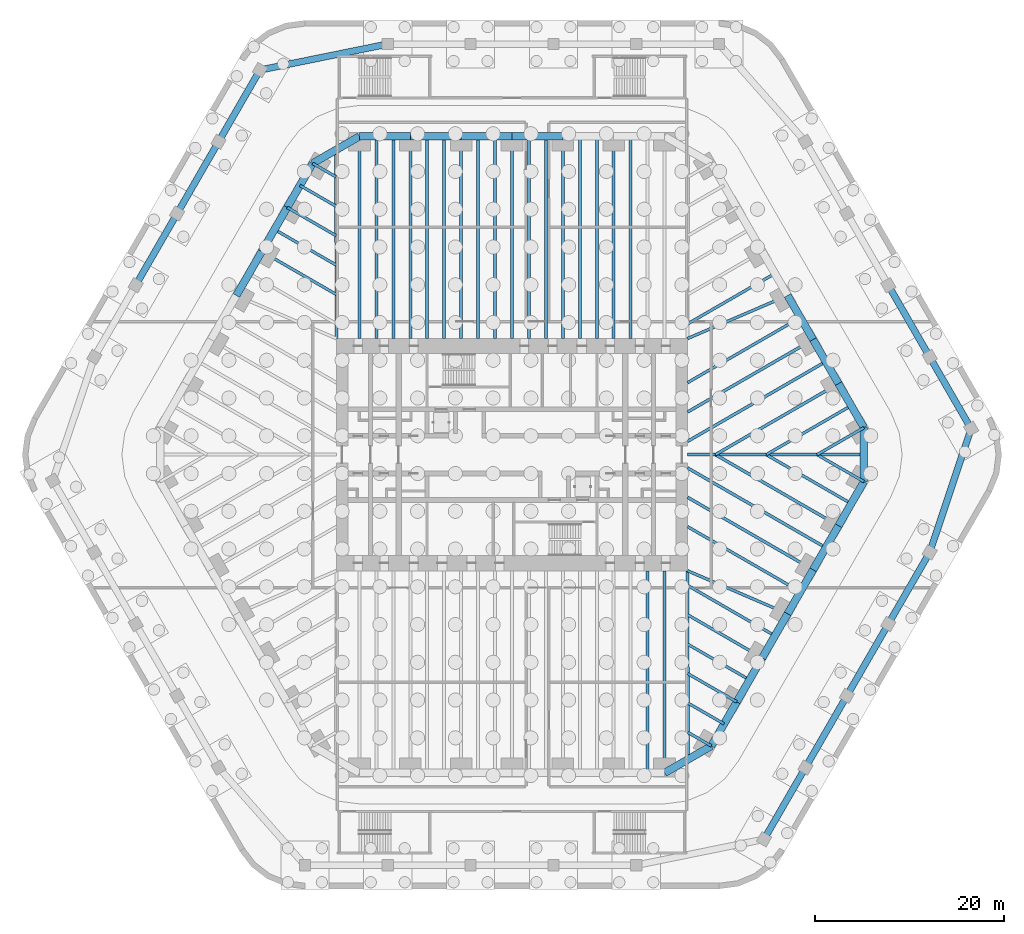
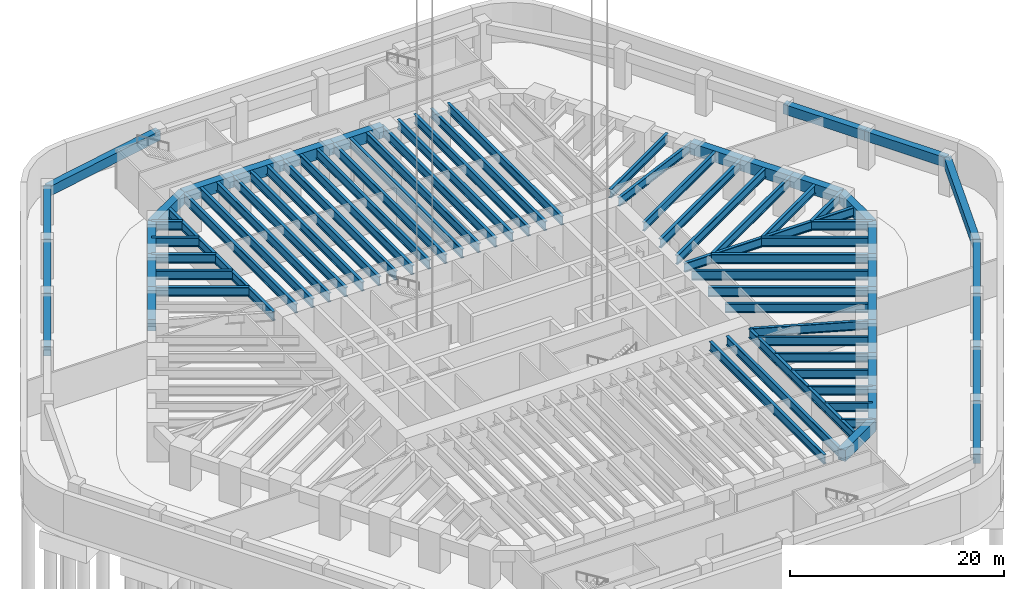
# One storey, part 4 of 17: 78 beams.
"""IFC4 building model written with IfcOpenShell, lengths in metres."""

from ifc_helpers import new_model, si_unit, direction, frame, origin, origin_2d, place, context, subcontext, project, spatial, rectangle, i_section, extrude, material, material_profile, profile_set, type_object, element, save


model = new_model("IFC4")

# Units and contexts
model_context = context("Model", 3, precision=1e-05, world=origin(), true_north=direction((0.0, 1.0)))
body_context = subcontext(model_context, "Body", "Model", "MODEL_VIEW")
ifc_project = project(units=[si_unit("LENGTHUNIT", "METRE"), si_unit("AREAUNIT", "SQUARE_METRE"), si_unit("VOLUMEUNIT", "CUBIC_METRE"), si_unit("PLANEANGLEUNIT", "RADIAN"), si_unit("MASSUNIT", "GRAM", prefix="KILO")], contexts=[model_context])

# Site, building, storey
site_placement = place(None, origin())
site = spatial("IfcSite", under=ifc_project, at=site_placement, CompositionType="ELEMENT")
building_placement = place(site_placement, origin())
building = spatial("IfcBuilding", under=site, at=building_placement, Name="Tarfa Lantern Tower", CompositionType="ELEMENT")
storey_placement = place(building_placement, frame((0.0, 0.0, -9.0)))
storey = spatial("IfcBuildingStorey", under=building, at=storey_placement, Name="B2", CompositionType="ELEMENT", Elevation=-9.0)

# Beams
ifc_material_1 = material(Name="Concrete C80/95", Category="concrete")
ifc_material_profile_1 = material_profile(ifc_material_1, rectangle(XDim=0.800048828125, YDim=1.300048828125, at=origin_2d()), Name="RC 800x1300")
ifc_profile_set_1 = profile_set([ifc_material_profile_1], Name="Concrete C80/95")
beam_type_1 = type_object("IfcBeamType", Name="EB1 RC 800x1300", PredefinedType="SPANDREL", material=ifc_profile_set_1)
beam_1_placement = place(storey_placement, frame((37.285400390625, 2.860107421875, 3.5), z_axis=(-0.500017906299, 0.866015065331, 0.0), x_axis=(-0.866015065331, -0.500017906299, 0.0)))
element("IfcBeam", 1, at=beam_1_placement, inside=storey, type_object=beam_type_1, Name="Edge beam NE0", PredefinedType="SPANDREL", context=body_context, shape_type="SweptSolid", body=[
    extrude(rectangle(XDim=0.800048828125, YDim=1.300048828125, at=origin_2d()), origin(), (0.0, 0.0, 1.0), 5.388427734375),
])
for number, where, z_axis, x_axis, name in (
    (2, (34.591064453125, 7.526611328125, 3.5), (-0.499998287579, 0.866026392449, 0.0), (-0.866026392449, -0.499998287579, 0.0), "Edge beam NE1"),
    (3, (31.896728515625, 12.193359375, 3.5), (-0.499998287579, 0.866026392449, 0.0), (-0.866026392449, -0.499998287579, 0.0), "Edge beam NE2"),
    (4, (5.388671875, 33.719970703125, 3.5), (-1.0, 0.0, 0.0), (0.0, -1.0, 0.0), "Edge beam N2"),
    (5, (0.0, 33.719970703125, 3.5), (-1.0, 0.0, 0.0), (0.0, -1.0, 0.0), "Edge beam N3"),
):
    element("IfcBeam", number, at=place(storey_placement, frame(where, z_axis=z_axis, x_axis=x_axis)), inside=storey, type_object=beam_type_1, Name=name, PredefinedType="SPANDREL", context=body_context, shape_type="SweptSolid", body=[
        extrude(rectangle(XDim=0.800048828125, YDim=1.300048828125, at=origin_2d()), origin(), (0.0, 0.0, 1.0), 5.388671875),
    ])
beam_2_placement = place(storey_placement, frame((-5.388671875, 33.719970703125, 3.5), z_axis=(-1.0, 0.0, 0.0), x_axis=(0.0, -1.0, 0.0)))
element("IfcBeam", 6, at=beam_2_placement, inside=storey, type_object=beam_type_1, Name="Edge beam N4", PredefinedType="SPANDREL", context=body_context, shape_type="SweptSolid", body=[
    extrude(rectangle(XDim=0.800048828125, YDim=1.300048828125, at=origin_2d()), origin(), (0.0, 0.0, 1.0), 5.388427734375),
])
beam_3_placement = place(storey_placement, frame((-10.777099609375, 33.719970703125, 3.5), z_axis=(-1.0, 0.0, 0.0), x_axis=(0.0, -1.0, 0.0)))
element("IfcBeam", 7, at=beam_3_placement, inside=storey, type_object=beam_type_1, Name="Edge beam N5", PredefinedType="SPANDREL", context=body_context, shape_type="SweptSolid", body=[
    extrude(rectangle(XDim=0.800048828125, YDim=1.300048828125, at=origin_2d()), origin(), (0.0, 0.0, 1.0), 5.388671875),
])
beam_4_placement = place(storey_placement, frame((-16.165771484375, 33.719970703125, 3.5), z_axis=(-0.866033479681, -0.499986011877, 0.0), x_axis=(0.499986011877, -0.866033479681, 0.0)))
element("IfcBeam", 8, at=beam_4_placement, inside=storey, type_object=beam_type_1, Name="Edge beam N6", PredefinedType="SPANDREL", context=body_context, shape_type="SweptSolid", body=[
    extrude(rectangle(XDim=0.800048828125, YDim=1.300048828125, at=origin_2d()), origin(), (0.0, 0.0, 1.0), 5.719970703125),
])
for number, where, z_axis, x_axis, name in (
    (9, (-21.119384765625, 30.860107421875, 3.5), (-0.499998287579, -0.866026392449, 0.0), (0.866026392449, -0.499998287579, 0.0), "Edge beam NW0"),
    (10, (-23.813720703125, 26.193359375, 3.5), (-0.499998287579, -0.866026392449, 0.0), (0.866026392449, -0.499998287579, 0.0), "Edge beam NW1"),
):
    element("IfcBeam", number, at=place(storey_placement, frame(where, z_axis=z_axis, x_axis=x_axis)), inside=storey, type_object=beam_type_1, Name=name, PredefinedType="SPANDREL", context=body_context, shape_type="SweptSolid", body=[
        extrude(rectangle(XDim=0.800048828125, YDim=1.300048828125, at=origin_2d()), origin(), (0.0, 0.0, 1.0), 5.388671875),
    ])
beam_5_placement = place(storey_placement, frame((-26.508056640625, 21.526611328125, 3.5), z_axis=(-0.500017906299, -0.866015065331, 0.0), x_axis=(0.866015065331, -0.500017906299, 0.0)))
element("IfcBeam", 11, at=beam_5_placement, inside=storey, type_object=beam_type_1, Name="Edge beam NW2", PredefinedType="SPANDREL", context=body_context, shape_type="SweptSolid", body=[
    extrude(rectangle(XDim=0.800048828125, YDim=1.300048828125, at=origin_2d()), origin(), (0.0, 0.0, 1.0), 5.388427734375),
])
beam_6_placement = place(storey_placement, frame((16.165771484375, -33.719970703125, 3.5), z_axis=(0.866033479681, 0.499986011877, 0.0), x_axis=(-0.499986011877, 0.866033479681, 0.0)))
element("IfcBeam", 12, at=beam_6_placement, inside=storey, type_object=beam_type_1, Name="Edge beam S6", PredefinedType="SPANDREL", context=body_context, shape_type="SweptSolid", body=[
    extrude(rectangle(XDim=0.800048828125, YDim=1.300048828125, at=origin_2d()), origin(), (0.0, 0.0, 1.0), 5.719970703125),
])
for number, where, z_axis, x_axis, name in (
    (13, (21.119384765625, -30.860107421875, 3.5), (0.499998287579, 0.866026392449, 0.0), (-0.866026392449, 0.499998287579, 0.0), "Edge beam SE0"),
    (14, (23.813720703125, -26.193359375, 3.5), (0.499998287579, 0.866026392449, 0.0), (-0.866026392449, 0.499998287579, 0.0), "Edge beam SE1"),
):
    element("IfcBeam", number, at=place(storey_placement, frame(where, z_axis=z_axis, x_axis=x_axis)), inside=storey, type_object=beam_type_1, Name=name, PredefinedType="SPANDREL", context=body_context, shape_type="SweptSolid", body=[
        extrude(rectangle(XDim=0.800048828125, YDim=1.300048828125, at=origin_2d()), origin(), (0.0, 0.0, 1.0), 5.388671875),
    ])
beam_7_placement = place(storey_placement, frame((26.508056640625, -21.526611328125, 3.5), z_axis=(0.500017906299, 0.866015065331, 0.0), x_axis=(-0.866015065331, 0.500017906299, 0.0)))
element("IfcBeam", 15, at=beam_7_placement, inside=storey, type_object=beam_type_1, Name="Edge beam SE2", PredefinedType="SPANDREL", context=body_context, shape_type="SweptSolid", body=[
    extrude(rectangle(XDim=0.800048828125, YDim=1.300048828125, at=origin_2d()), origin(), (0.0, 0.0, 1.0), 5.388427734375),
])
for number, where, z_axis, x_axis, name in (
    (16, (29.202392578125, -16.860107421875, 3.5), (0.499998287579, 0.866026392449, 0.0), (-0.866026392449, 0.499998287579, 0.0), "Edge beam SE3"),
    (17, (31.896728515625, -12.193359375, 3.5), (0.499998287579, 0.866026392449, 0.0), (-0.866026392449, 0.499998287579, 0.0), "Edge beam SE4"),
):
    element("IfcBeam", number, at=place(storey_placement, frame(where, z_axis=z_axis, x_axis=x_axis)), inside=storey, type_object=beam_type_1, Name=name, PredefinedType="SPANDREL", context=body_context, shape_type="SweptSolid", body=[
        extrude(rectangle(XDim=0.800048828125, YDim=1.300048828125, at=origin_2d()), origin(), (0.0, 0.0, 1.0), 5.388671875),
    ])
beam_8_placement = place(storey_placement, frame((34.591064453125, -7.526611328125, 3.5), z_axis=(0.500017906299, 0.866015065331, 0.0), x_axis=(-0.866015065331, 0.500017906299, 0.0)))
element("IfcBeam", 18, at=beam_8_placement, inside=storey, type_object=beam_type_1, Name="Edge beam SE5", PredefinedType="SPANDREL", context=body_context, shape_type="SweptSolid", body=[
    extrude(rectangle(XDim=0.800048828125, YDim=1.300048828125, at=origin_2d()), origin(), (0.0, 0.0, 1.0), 5.388427734375),
])
beam_9_placement = place(storey_placement, frame((37.285400390625, -2.860107421875, 3.5), z_axis=(0.0, 1.0, 0.0), x_axis=(-1.0, 0.0, 0.0)))
element("IfcBeam", 19, at=beam_9_placement, inside=storey, type_object=beam_type_1, Name="Edge beam SE6", PredefinedType="SPANDREL", context=body_context, shape_type="SweptSolid", body=[
    extrude(rectangle(XDim=0.800048828125, YDim=1.300048828125, at=origin_2d()), origin(), (0.0, 0.0, 1.0), 5.72021484375),
])
ifc_material_profile_2 = material_profile(ifc_material_1, rectangle(XDim=0.699951171875, YDim=1.10009765625, at=origin_2d()), Name="RC 700x1100")
ifc_profile_set_2 = profile_set([ifc_material_profile_2], Name="Concrete C80/95")
beam_type_2 = type_object("IfcBeamType", Name="PB1 RC 700x1100", PredefinedType="BEAM", material=ifc_profile_set_2)
beam_10_placement = place(storey_placement, frame((48.641845703125, 2.75, 3.60009765625), z_axis=(-0.50000179687, 0.866024366359, 0.0), x_axis=(-0.866024366359, -0.50000179687, 0.0)))
element("IfcBeam", 20, at=beam_10_placement, inside=storey, type_object=beam_type_2, Name="Podium ring beam NE0", PredefinedType="BEAM", context=body_context, shape_type="SweptSolid", body=[
    extrude(rectangle(XDim=0.699951171875, YDim=1.10009765625, at=origin_2d()), origin(), (0.0, 0.0, 1.0), 8.77587890625),
])
beam_11_placement = place(storey_placement, frame((44.25390625, 10.35009765625, 3.60009765625), z_axis=(-0.500013843384, 0.866017411155, 0.0), x_axis=(-0.866017411155, -0.500013843384, 0.0)))
element("IfcBeam", 21, at=beam_11_placement, inside=storey, type_object=beam_type_2, Name="Podium ring beam NE1", PredefinedType="BEAM", context=body_context, shape_type="SweptSolid", body=[
    extrude(rectangle(XDim=0.699951171875, YDim=1.10009765625, at=origin_2d()), origin(), (0.0, 0.0, 1.0), 8.775634765625),
])
beam_12_placement = place(storey_placement, frame((-13.16357421875, 43.5, 3.60009765625), z_axis=(-0.979988342999, -0.199054885863, 0.0), x_axis=(0.199054885863, -0.979988342999, 0.0)))
element("IfcBeam", 22, at=beam_12_placement, inside=storey, type_object=beam_type_2, Name="Podium ring beam N4", PredefinedType="BEAM", context=body_context, shape_type="SweptSolid", body=[
    extrude(rectangle(XDim=0.699951171875, YDim=1.10009765625, at=origin_2d()), origin(), (0.0, 0.0, 1.0), 13.815185546875),
])
beam_13_placement = place(storey_placement, frame((-26.702392578125, 40.75, 3.60009765625), z_axis=(-0.50000179687, -0.866024366359, 0.0), x_axis=(0.866024366359, -0.50000179687, 0.0)))
element("IfcBeam", 23, at=beam_13_placement, inside=storey, type_object=beam_type_2, Name="Podium ring beam NW0", PredefinedType="BEAM", context=body_context, shape_type="SweptSolid", body=[
    extrude(rectangle(XDim=0.699951171875, YDim=1.10009765625, at=origin_2d()), origin(), (0.0, 0.0, 1.0), 8.77587890625),
])
for number, where, z_axis, x_axis, name in (
    (24, (-31.09033203125, 33.14990234375, 3.60009765625), (-0.500013843384, -0.866017411155, 0.0), (0.866017411155, -0.500013843384, 0.0), "Podium ring beam NW1"),
    (25, (-35.478271484375, 25.550048828125, 3.60009765625), (-0.499980931779, -0.866036412547, 0.0), (0.866036412547, -0.499980931779, 0.0), "Podium ring beam NW2"),
):
    element("IfcBeam", number, at=place(storey_placement, frame(where, z_axis=z_axis, x_axis=x_axis)), inside=storey, type_object=beam_type_2, Name=name, PredefinedType="BEAM", context=body_context, shape_type="SweptSolid", body=[
        extrude(rectangle(XDim=0.699951171875, YDim=1.10009765625, at=origin_2d()), origin(), (0.0, 0.0, 1.0), 8.775634765625),
    ])
beam_14_placement = place(storey_placement, frame((26.702392578125, -40.75, 3.60009765625), z_axis=(0.50000179687, 0.866024366359, 0.0), x_axis=(-0.866024366359, 0.50000179687, 0.0)))
element("IfcBeam", 26, at=beam_14_placement, inside=storey, type_object=beam_type_2, Name="Podium ring beam SE0", PredefinedType="BEAM", context=body_context, shape_type="SweptSolid", body=[
    extrude(rectangle(XDim=0.699951171875, YDim=1.10009765625, at=origin_2d()), origin(), (0.0, 0.0, 1.0), 8.77587890625),
])
for number, where, z_axis, x_axis, name in (
    (27, (31.09033203125, -33.14990234375, 3.60009765625), (0.500013843384, 0.866017411155, 0.0), (-0.866017411155, 0.500013843384, 0.0), "Podium ring beam SE1"),
    (28, (35.478271484375, -25.550048828125, 3.60009765625), (0.499980931779, 0.866036412547, 0.0), (-0.866036412547, 0.499980931779, 0.0), "Podium ring beam SE2"),
    (29, (39.865966796875, -17.949951171875, 3.60009765625), (0.500013843384, 0.866017411155, 0.0), (-0.866017411155, 0.500013843384, 0.0), "Podium ring beam SE3"),
):
    element("IfcBeam", number, at=place(storey_placement, frame(where, z_axis=z_axis, x_axis=x_axis)), inside=storey, type_object=beam_type_2, Name=name, PredefinedType="BEAM", context=body_context, shape_type="SweptSolid", body=[
        extrude(rectangle(XDim=0.699951171875, YDim=1.10009765625, at=origin_2d()), origin(), (0.0, 0.0, 1.0), 8.775634765625),
    ])
beam_15_placement = place(storey_placement, frame((44.25390625, -10.35009765625, 3.60009765625), z_axis=(0.317611113529, 0.948221061021, 0.0), x_axis=(-0.948221061021, 0.317611113529, 0.0)))
element("IfcBeam", 30, at=beam_15_placement, inside=storey, type_object=beam_type_2, Name="Podium ring beam SE4", PredefinedType="BEAM", context=body_context, shape_type="SweptSolid", body=[
    extrude(rectangle(XDim=0.699951171875, YDim=1.10009765625, at=origin_2d()), origin(), (0.0, 0.0, 1.0), 13.8154296875),
])
ifc_material_2 = material(Name="Steel S460M", Category="steel")
ifc_material_profile_3 = material_profile(ifc_material_2, i_section(OverallWidth=0.302001953125, OverallDepth=1.008056640625, WebThickness=0.02099609375, FlangeThickness=0.0400390625, FilletRadius=0.030029296875, at=origin_2d()), Name="UB1016x305x349")
ifc_profile_set_3 = profile_set([ifc_material_profile_3], Name="Steel S460M")
beam_type_3 = type_object("IfcBeamType", Name="UB1016x305x349", PredefinedType="BEAM", material=ifc_profile_set_3)
beam_16_placement = place(storey_placement, frame((37.285400390625, 2.860107421875, 3.64599609375), z_axis=(-0.866025668288, -0.499999541866, 0.0), x_axis=(0.499999541866, -0.866025668288, 0.0)))
element("IfcBeam", 31, at=beam_16_placement, inside=storey, type_object=beam_type_3, Name="Floor beam NE0", PredefinedType="BEAM", context=body_context, shape_type="SweptSolid", body=[
    extrude(i_section(OverallWidth=0.302001953125, OverallDepth=1.008056640625, WebThickness=0.02099609375, FlangeThickness=0.0400390625, FilletRadius=0.030029296875, at=origin_2d()), origin(), (0.0, 0.0, 1.0), 5.72021484375),
])
beam_17_placement = place(storey_placement, frame((29.202392578125, 16.860107421875, 3.64599609375), z_axis=(-0.918635483867, -0.395106122175, 0.0), x_axis=(0.395106122175, -0.918635483867, 0.0)))
element("IfcBeam", 32, at=beam_17_placement, inside=storey, type_object=beam_type_3, Name="Floor beam NE3", PredefinedType="BEAM", context=body_context, shape_type="SweptSolid", body=[
    extrude(i_section(OverallWidth=0.302001953125, OverallDepth=1.008056640625, WebThickness=0.02099609375, FlangeThickness=0.0400390625, FilletRadius=0.030029296875, at=origin_2d()), origin(), (0.0, 0.0, 1.0), 11.541259765625),
])
beam_18_placement = place(storey_placement, frame((-21.119384765625, 30.860107421875, 3.64599609375), z_axis=(0.866012580594, -0.500022209759, 0.0), x_axis=(0.500022209759, 0.866012580594, 0.0)))
element("IfcBeam", 33, at=beam_18_placement, inside=storey, type_object=beam_type_3, Name="Floor beam NW0", PredefinedType="BEAM", context=body_context, shape_type="SweptSolid", body=[
    extrude(i_section(OverallWidth=0.302001953125, OverallDepth=1.008056640625, WebThickness=0.02099609375, FlangeThickness=0.0400390625, FilletRadius=0.030029296875, at=origin_2d()), origin(), (0.0, 0.0, 1.0), 2.866943359375),
])
beam_19_placement = place(storey_placement, frame((-23.813720703125, 26.193359375, 3.64599609375), z_axis=(0.866015997389, -0.500016292001, 0.0), x_axis=(0.500016292001, 0.866015997389, 0.0)))
element("IfcBeam", 34, at=beam_19_placement, inside=storey, type_object=beam_type_3, Name="Floor beam NW1", PredefinedType="BEAM", context=body_context, shape_type="SweptSolid", body=[
    extrude(i_section(OverallWidth=0.302001953125, OverallDepth=1.008056640625, WebThickness=0.02099609375, FlangeThickness=0.0400390625, FilletRadius=0.030029296875, at=origin_2d()), origin(), (0.0, 0.0, 1.0), 5.993408203125),
])
beam_20_placement = place(storey_placement, frame((-26.508056640625, 21.526611328125, 3.64599609375), z_axis=(0.866035355799, -0.49998276221, 0.0), x_axis=(0.49998276221, 0.866035355799, 0.0)))
element("IfcBeam", 35, at=beam_20_placement, inside=storey, type_object=beam_type_3, Name="Floor beam NW2", PredefinedType="BEAM", context=body_context, shape_type="SweptSolid", body=[
    extrude(i_section(OverallWidth=0.302001953125, OverallDepth=1.008056640625, WebThickness=0.02099609375, FlangeThickness=0.0400390625, FilletRadius=0.030029296875, at=origin_2d()), origin(), (0.0, 0.0, 1.0), 9.119873046875),
])
beam_21_placement = place(storey_placement, frame((21.119384765625, -30.860107421875, 3.64599609375), z_axis=(-0.866012580594, 0.500022209759, 0.0), x_axis=(-0.500022209759, -0.866012580594, 0.0)))
element("IfcBeam", 36, at=beam_21_placement, inside=storey, type_object=beam_type_3, Name="Floor beam SE0", PredefinedType="BEAM", context=body_context, shape_type="SweptSolid", body=[
    extrude(i_section(OverallWidth=0.302001953125, OverallDepth=1.008056640625, WebThickness=0.02099609375, FlangeThickness=0.0400390625, FilletRadius=0.030029296875, at=origin_2d()), origin(), (0.0, 0.0, 1.0), 2.866943359375),
])
beam_22_placement = place(storey_placement, frame((23.813720703125, -26.193359375, 3.64599609375), z_axis=(-0.866015997389, 0.500016292001, 0.0), x_axis=(-0.500016292001, -0.866015997389, 0.0)))
element("IfcBeam", 37, at=beam_22_placement, inside=storey, type_object=beam_type_3, Name="Floor beam SE1", PredefinedType="BEAM", context=body_context, shape_type="SweptSolid", body=[
    extrude(i_section(OverallWidth=0.302001953125, OverallDepth=1.008056640625, WebThickness=0.02099609375, FlangeThickness=0.0400390625, FilletRadius=0.030029296875, at=origin_2d()), origin(), (0.0, 0.0, 1.0), 5.993408203125),
])
beam_23_placement = place(storey_placement, frame((26.508056640625, -21.526611328125, 3.64599609375), z_axis=(-0.866035355799, 0.49998276221, 0.0), x_axis=(-0.49998276221, -0.866035355799, 0.0)))
element("IfcBeam", 38, at=beam_23_placement, inside=storey, type_object=beam_type_3, Name="Floor beam SE2", PredefinedType="BEAM", context=body_context, shape_type="SweptSolid", body=[
    extrude(i_section(OverallWidth=0.302001953125, OverallDepth=1.008056640625, WebThickness=0.02099609375, FlangeThickness=0.0400390625, FilletRadius=0.030029296875, at=origin_2d()), origin(), (0.0, 0.0, 1.0), 9.119873046875),
])
beam_24_placement = place(storey_placement, frame((29.202392578125, -16.860107421875, 3.64599609375), z_axis=(-0.918635483867, 0.395106122175, 0.0), x_axis=(-0.395106122175, -0.918635483867, 0.0)))
element("IfcBeam", 39, at=beam_24_placement, inside=storey, type_object=beam_type_3, Name="Floor beam SE3", PredefinedType="BEAM", context=body_context, shape_type="SweptSolid", body=[
    extrude(i_section(OverallWidth=0.302001953125, OverallDepth=1.008056640625, WebThickness=0.02099609375, FlangeThickness=0.0400390625, FilletRadius=0.030029296875, at=origin_2d()), origin(), (0.0, 0.0, 1.0), 11.541259765625),
])
beam_25_placement = place(storey_placement, frame((37.285400390625, -2.860107421875, 3.64599609375), z_axis=(-0.866025668288, 0.499999541866, 0.0), x_axis=(-0.499999541866, -0.866025668288, 0.0)))
element("IfcBeam", 40, at=beam_25_placement, inside=storey, type_object=beam_type_3, Name="Floor beam SE6", PredefinedType="BEAM", context=body_context, shape_type="SweptSolid", body=[
    extrude(i_section(OverallWidth=0.302001953125, OverallDepth=1.008056640625, WebThickness=0.02099609375, FlangeThickness=0.0400390625, FilletRadius=0.030029296875, at=origin_2d()), origin(), (0.0, 0.0, 1.0), 5.72021484375),
])
beam_26_placement = place(storey_placement, frame((35.938232421875, 5.193359375, 3.64599609375), z_axis=(-0.866024317969, -0.500001880682, 0.0), x_axis=(0.500001880682, -0.866024317969, 0.0)))
element("IfcBeam", 41, at=beam_26_placement, inside=storey, type_object=beam_type_3, Name="Floor beam NE0M", PredefinedType="BEAM", context=body_context, shape_type="SweptSolid", body=[
    extrude(i_section(OverallWidth=0.302001953125, OverallDepth=1.008056640625, WebThickness=0.02099609375, FlangeThickness=0.0400390625, FilletRadius=0.030029296875, at=origin_2d()), origin(), (0.0, 0.0, 1.0), 10.38671875),
])
beam_27_placement = place(storey_placement, frame((30.549560546875, 14.526611328125, 3.64599609375), z_axis=(-0.866028536827, -0.499994573371, 0.0), x_axis=(0.499994573371, -0.866028536827, 0.0)))
element("IfcBeam", 42, at=beam_27_placement, inside=storey, type_object=beam_type_3, Name="Floor beam NE2M", PredefinedType="BEAM", context=body_context, shape_type="SweptSolid", body=[
    extrude(i_section(OverallWidth=0.302001953125, OverallDepth=1.008056640625, WebThickness=0.02099609375, FlangeThickness=0.0400390625, FilletRadius=0.030029296875, at=origin_2d()), origin(), (0.0, 0.0, 1.0), 13.798095703125),
])
beam_28_placement = place(storey_placement, frame((27.855224609375, 19.193359375, 3.64599609375), z_axis=(-0.866028034017, -0.499995444275, 0.0), x_axis=(0.499995444275, -0.866028034017, 0.0)))
element("IfcBeam", 43, at=beam_28_placement, inside=storey, type_object=beam_type_3, Name="Floor beam NE3M", PredefinedType="BEAM", context=body_context, shape_type="SweptSolid", body=[
    extrude(i_section(OverallWidth=0.302001953125, OverallDepth=1.008056640625, WebThickness=0.02099609375, FlangeThickness=0.0400390625, FilletRadius=0.030029296875, at=origin_2d()), origin(), (0.0, 0.0, 1.0), 10.68310546875),
])
beam_29_placement = place(storey_placement, frame((-22.466552734375, 28.526611328125, 3.64599609375), z_axis=(0.866026823135, -0.499997541604, 0.0), x_axis=(0.499997541604, 0.866026823135, 0.0)))
element("IfcBeam", 44, at=beam_29_placement, inside=storey, type_object=beam_type_3, Name="Floor beam NW0M", PredefinedType="BEAM", context=body_context, shape_type="SweptSolid", body=[
    extrude(i_section(OverallWidth=0.302001953125, OverallDepth=1.008056640625, WebThickness=0.02099609375, FlangeThickness=0.0400390625, FilletRadius=0.030029296875, at=origin_2d()), origin(), (0.0, 0.0, 1.0), 4.43017578125),
])
beam_30_placement = place(storey_placement, frame((-25.160888671875, 23.860107421875, 3.64599609375), z_axis=(0.866009650502, -0.500027284493, 0.0), x_axis=(0.500027284493, 0.866009650502, 0.0)))
element("IfcBeam", 45, at=beam_30_placement, inside=storey, type_object=beam_type_3, Name="Floor beam NW1M", PredefinedType="BEAM", context=body_context, shape_type="SweptSolid", body=[
    extrude(i_section(OverallWidth=0.302001953125, OverallDepth=1.008056640625, WebThickness=0.02099609375, FlangeThickness=0.0400390625, FilletRadius=0.030029296875, at=origin_2d()), origin(), (0.0, 0.0, 1.0), 7.556640625),
])
beam_31_placement = place(storey_placement, frame((22.466552734375, -28.526611328125, 3.64599609375), z_axis=(-0.866026823135, 0.499997541604, 0.0), x_axis=(-0.499997541604, -0.866026823135, 0.0)))
element("IfcBeam", 46, at=beam_31_placement, inside=storey, type_object=beam_type_3, Name="Floor beam SE0M", PredefinedType="BEAM", context=body_context, shape_type="SweptSolid", body=[
    extrude(i_section(OverallWidth=0.302001953125, OverallDepth=1.008056640625, WebThickness=0.02099609375, FlangeThickness=0.0400390625, FilletRadius=0.030029296875, at=origin_2d()), origin(), (0.0, 0.0, 1.0), 4.43017578125),
])
beam_32_placement = place(storey_placement, frame((25.160888671875, -23.860107421875, 3.64599609375), z_axis=(-0.866009650502, 0.500027284493, 0.0), x_axis=(-0.500027284493, -0.866009650502, 0.0)))
element("IfcBeam", 47, at=beam_32_placement, inside=storey, type_object=beam_type_3, Name="Floor beam SE1M", PredefinedType="BEAM", context=body_context, shape_type="SweptSolid", body=[
    extrude(i_section(OverallWidth=0.302001953125, OverallDepth=1.008056640625, WebThickness=0.02099609375, FlangeThickness=0.0400390625, FilletRadius=0.030029296875, at=origin_2d()), origin(), (0.0, 0.0, 1.0), 7.556640625),
])
beam_33_placement = place(storey_placement, frame((27.855224609375, -19.193359375, 3.64599609375), z_axis=(-0.866028034017, 0.499995444275, 0.0), x_axis=(-0.499995444275, -0.866028034017, 0.0)))
element("IfcBeam", 48, at=beam_33_placement, inside=storey, type_object=beam_type_3, Name="Floor beam SE2M", PredefinedType="BEAM", context=body_context, shape_type="SweptSolid", body=[
    extrude(i_section(OverallWidth=0.302001953125, OverallDepth=1.008056640625, WebThickness=0.02099609375, FlangeThickness=0.0400390625, FilletRadius=0.030029296875, at=origin_2d()), origin(), (0.0, 0.0, 1.0), 10.68310546875),
])
beam_34_placement = place(storey_placement, frame((30.549560546875, -14.526611328125, 3.64599609375), z_axis=(-0.866028536827, 0.499994573371, 0.0), x_axis=(-0.499994573371, -0.866028536827, 0.0)))
element("IfcBeam", 49, at=beam_34_placement, inside=storey, type_object=beam_type_3, Name="Floor beam SE3M", PredefinedType="BEAM", context=body_context, shape_type="SweptSolid", body=[
    extrude(i_section(OverallWidth=0.302001953125, OverallDepth=1.008056640625, WebThickness=0.02099609375, FlangeThickness=0.0400390625, FilletRadius=0.030029296875, at=origin_2d()), origin(), (0.0, 0.0, 1.0), 13.798095703125),
])
beam_35_placement = place(storey_placement, frame((35.938232421875, -5.193359375, 3.64599609375), z_axis=(-0.866024317969, 0.500001880682, 0.0), x_axis=(-0.500001880682, -0.866024317969, 0.0)))
element("IfcBeam", 50, at=beam_35_placement, inside=storey, type_object=beam_type_3, Name="Floor beam SE5M", PredefinedType="BEAM", context=body_context, shape_type="SweptSolid", body=[
    extrude(i_section(OverallWidth=0.302001953125, OverallDepth=1.008056640625, WebThickness=0.02099609375, FlangeThickness=0.0400390625, FilletRadius=0.030029296875, at=origin_2d()), origin(), (0.0, 0.0, 1.0), 10.38671875),
])
ifc_material_profile_4 = material_profile(ifc_material_2, i_section(OverallWidth=0.314208984375, OverallDepth=1.055908203125, WebThickness=0.035888671875, FlangeThickness=0.06396484375, FilletRadius=0.030029296875, at=origin_2d()), Name="UB1016x305x584")
ifc_profile_set_4 = profile_set([ifc_material_profile_4], Name="Steel S460M")
beam_type_4 = type_object("IfcBeamType", Name="UB1016x305x584", PredefinedType="BEAM", material=ifc_profile_set_4)
beam_36_placement = place(storey_placement, frame((18.60009765625, 0.0, 3.6220703125), z_axis=(1.0, 0.0, 0.0), x_axis=(0.0, 1.0, 0.0)))
element("IfcBeam", 51, at=beam_36_placement, inside=storey, type_object=beam_type_4, Name="Hip girder E", PredefinedType="BEAM", context=body_context, shape_type="SweptSolid", body=[
    extrude(i_section(OverallWidth=0.314208984375, OverallDepth=1.055908203125, WebThickness=0.035888671875, FlangeThickness=0.06396484375, FilletRadius=0.030029296875, at=origin_2d()), origin(), (0.0, 0.0, 1.0), 18.685302734375),
])
for number, where, z_axis, x_axis, name in (
    (52, (-18.60009765625, 12.300048828125, 3.6220703125), (-0.00212508222, 0.99999774201, 0.0), (-0.99999774201, -0.00212508222, 0.0), "Hip girder NW"),
    (53, (18.60009765625, -12.300048828125, 3.6220703125), (0.00212508222, -0.99999774201, 0.0), (0.99999774201, 0.00212508222, 0.0), "Hip girder SE"),
):
    element("IfcBeam", number, at=place(storey_placement, frame(where, z_axis=z_axis, x_axis=x_axis)), inside=storey, type_object=beam_type_4, Name=name, PredefinedType="BEAM", context=body_context, shape_type="SweptSolid", body=[
        extrude(i_section(OverallWidth=0.314208984375, OverallDepth=1.055908203125, WebThickness=0.035888671875, FlangeThickness=0.06396484375, FilletRadius=0.030029296875, at=origin_2d()), origin(), (0.0, 0.0, 1.0), 19.989990234375),
    ])
beam_37_placement = place(storey_placement, frame((34.591064453125, 7.526611328125, 3.6220703125), z_axis=(-0.86602785945, -0.499995746638, 0.0), x_axis=(0.499995746638, -0.86602785945, 0.0)))
element("IfcBeam", 54, at=beam_37_placement, inside=storey, type_object=beam_type_4, Name="Floor beam NE1", PredefinedType="BEAM", context=body_context, shape_type="SweptSolid", body=[
    extrude(i_section(OverallWidth=0.314208984375, OverallDepth=1.055908203125, WebThickness=0.035888671875, FlangeThickness=0.06396484375, FilletRadius=0.030029296875, at=origin_2d()), origin(), (0.0, 0.0, 1.0), 15.053466796875),
])
beam_38_placement = place(storey_placement, frame((31.896728515625, 12.193359375, 3.6220703125), z_axis=(-0.866026971665, -0.499997284341, 0.0), x_axis=(0.499997284341, -0.866026971665, 0.0)))
element("IfcBeam", 55, at=beam_38_placement, inside=storey, type_object=beam_type_4, Name="Floor beam NE2", PredefinedType="BEAM", context=body_context, shape_type="SweptSolid", body=[
    extrude(i_section(OverallWidth=0.314208984375, OverallDepth=1.055908203125, WebThickness=0.035888671875, FlangeThickness=0.06396484375, FilletRadius=0.030029296875, at=origin_2d()), origin(), (0.0, 0.0, 1.0), 15.353515625),
])
for number, where, z_axis, x_axis, name in (
    (56, (10.777099609375, 33.719970703125, 3.6220703125), (0.0, -1.0, 0.0), (1.0, 0.0, 0.0), "Floor beam N1"),
    (57, (5.388671875, 33.719970703125, 3.6220703125), (0.0, -1.0, 0.0), (1.0, 0.0, 0.0), "Floor beam N2"),
    (58, (0.0, 33.719970703125, 3.6220703125), (0.0, -1.0, 0.0), (1.0, 0.0, 0.0), "Floor beam N3"),
    (59, (-5.388671875, 33.719970703125, 3.6220703125), (0.0, -1.0, 0.0), (1.0, 0.0, 0.0), "Floor beam N4"),
    (60, (-10.777099609375, 33.719970703125, 3.6220703125), (0.0, -1.0, 0.0), (1.0, 0.0, 0.0), "Floor beam N5"),
    (61, (-16.165771484375, 33.719970703125, 3.6220703125), (0.0, -1.0, 0.0), (1.0, 0.0, 0.0), "Floor beam N6"),
    (62, (16.165771484375, -33.719970703125, 3.6220703125), (0.0, 1.0, 0.0), (-1.0, 0.0, 0.0), "Floor beam S6"),
):
    element("IfcBeam", number, at=place(storey_placement, frame(where, z_axis=z_axis, x_axis=x_axis)), inside=storey, type_object=beam_type_4, Name=name, PredefinedType="BEAM", context=body_context, shape_type="SweptSolid", body=[
        extrude(i_section(OverallWidth=0.314208984375, OverallDepth=1.055908203125, WebThickness=0.035888671875, FlangeThickness=0.06396484375, FilletRadius=0.030029296875, at=origin_2d()), origin(), (0.0, 0.0, 1.0), 21.419921875),
    ])
beam_39_placement = place(storey_placement, frame((31.896728515625, -12.193359375, 3.6220703125), z_axis=(-0.866026971665, 0.499997284341, 0.0), x_axis=(-0.499997284341, -0.866026971665, 0.0)))
element("IfcBeam", 63, at=beam_39_placement, inside=storey, type_object=beam_type_4, Name="Floor beam SE4", PredefinedType="BEAM", context=body_context, shape_type="SweptSolid", body=[
    extrude(i_section(OverallWidth=0.314208984375, OverallDepth=1.055908203125, WebThickness=0.035888671875, FlangeThickness=0.06396484375, FilletRadius=0.030029296875, at=origin_2d()), origin(), (0.0, 0.0, 1.0), 15.353515625),
])
beam_40_placement = place(storey_placement, frame((34.591064453125, -7.526611328125, 3.6220703125), z_axis=(-0.86602785945, 0.499995746638, 0.0), x_axis=(-0.499995746638, -0.86602785945, 0.0)))
element("IfcBeam", 64, at=beam_40_placement, inside=storey, type_object=beam_type_4, Name="Floor beam SE5", PredefinedType="BEAM", context=body_context, shape_type="SweptSolid", body=[
    extrude(i_section(OverallWidth=0.314208984375, OverallDepth=1.055908203125, WebThickness=0.035888671875, FlangeThickness=0.06396484375, FilletRadius=0.030029296875, at=origin_2d()), origin(), (0.0, 0.0, 1.0), 15.053466796875),
])
beam_41_placement = place(storey_placement, frame((33.243896484375, 9.860107421875, 3.6220703125), z_axis=(-0.866019442478, -0.500010325144, 0.0), x_axis=(0.500010325144, -0.866019442478, 0.0)))
element("IfcBeam", 65, at=beam_41_placement, inside=storey, type_object=beam_type_4, Name="Floor beam NE1M", PredefinedType="BEAM", context=body_context, shape_type="SweptSolid", body=[
    extrude(i_section(OverallWidth=0.314208984375, OverallDepth=1.055908203125, WebThickness=0.035888671875, FlangeThickness=0.06396484375, FilletRadius=0.030029296875, at=origin_2d()), origin(), (0.0, 0.0, 1.0), 16.909423828125),
])
for number, where, z_axis, x_axis, name in (
    (66, (12.573486328125, 33.719970703125, 3.6220703125), (0.0, -1.0, 0.0), (1.0, 0.0, 0.0), "Floor beam N0M2"),
    (67, (8.98095703125, 33.719970703125, 3.6220703125), (0.0, -1.0, 0.0), (1.0, 0.0, 0.0), "Floor beam N1M1"),
    (68, (7.184814453125, 33.719970703125, 3.6220703125), (0.0, -1.0, 0.0), (1.0, 0.0, 0.0), "Floor beam N1M2"),
    (69, (3.59228515625, 33.719970703125, 3.6220703125), (0.0, -1.0, 0.0), (1.0, 0.0, 0.0), "Floor beam N2M1"),
    (70, (1.796142578125, 33.719970703125, 3.6220703125), (0.0, -1.0, 0.0), (1.0, 0.0, 0.0), "Floor beam N2M2"),
    (71, (-1.796142578125, 33.719970703125, 3.6220703125), (0.0, -1.0, 0.0), (1.0, 0.0, 0.0), "Floor beam N3M1"),
    (72, (-3.59228515625, 33.719970703125, 3.6220703125), (0.0, -1.0, 0.0), (1.0, 0.0, 0.0), "Floor beam N3M2"),
    (73, (-7.184814453125, 33.719970703125, 3.6220703125), (0.0, -1.0, 0.0), (1.0, 0.0, 0.0), "Floor beam N4M1"),
    (74, (-8.98095703125, 33.719970703125, 3.6220703125), (0.0, -1.0, 0.0), (1.0, 0.0, 0.0), "Floor beam N4M2"),
    (75, (-12.573486328125, 33.719970703125, 3.6220703125), (0.0, -1.0, 0.0), (1.0, 0.0, 0.0), "Floor beam N5M1"),
    (76, (-14.36962890625, 33.719970703125, 3.6220703125), (0.0, -1.0, 0.0), (1.0, 0.0, 0.0), "Floor beam N5M2"),
    (77, (14.36962890625, -33.719970703125, 3.6220703125), (0.0, 1.0, 0.0), (-1.0, 0.0, 0.0), "Floor beam S5M2"),
):
    element("IfcBeam", number, at=place(storey_placement, frame(where, z_axis=z_axis, x_axis=x_axis)), inside=storey, type_object=beam_type_4, Name=name, PredefinedType="BEAM", context=body_context, shape_type="SweptSolid", body=[
        extrude(i_section(OverallWidth=0.314208984375, OverallDepth=1.055908203125, WebThickness=0.035888671875, FlangeThickness=0.06396484375, FilletRadius=0.030029296875, at=origin_2d()), origin(), (0.0, 0.0, 1.0), 21.419921875),
    ])
beam_42_placement = place(storey_placement, frame((33.243896484375, -9.860107421875, 3.6220703125), z_axis=(-0.866019442478, 0.500010325144, 0.0), x_axis=(-0.500010325144, -0.866019442478, 0.0)))
element("IfcBeam", 78, at=beam_42_placement, inside=storey, type_object=beam_type_4, Name="Floor beam SE4M", PredefinedType="BEAM", context=body_context, shape_type="SweptSolid", body=[
    extrude(i_section(OverallWidth=0.314208984375, OverallDepth=1.055908203125, WebThickness=0.035888671875, FlangeThickness=0.06396484375, FilletRadius=0.030029296875, at=origin_2d()), origin(), (0.0, 0.0, 1.0), 16.909423828125),
])

save(model, "model.ifc")
